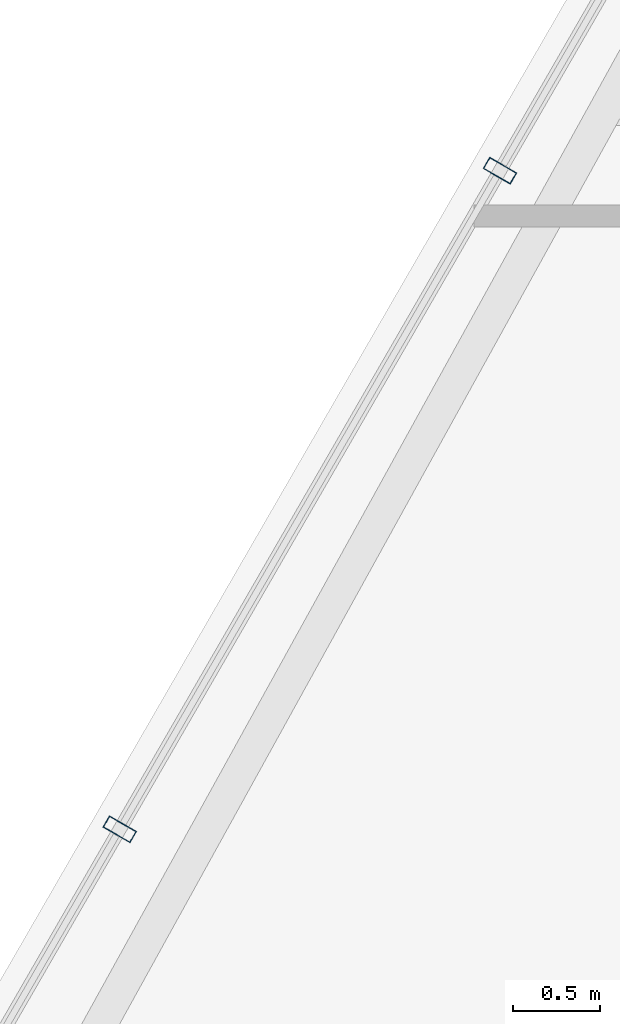
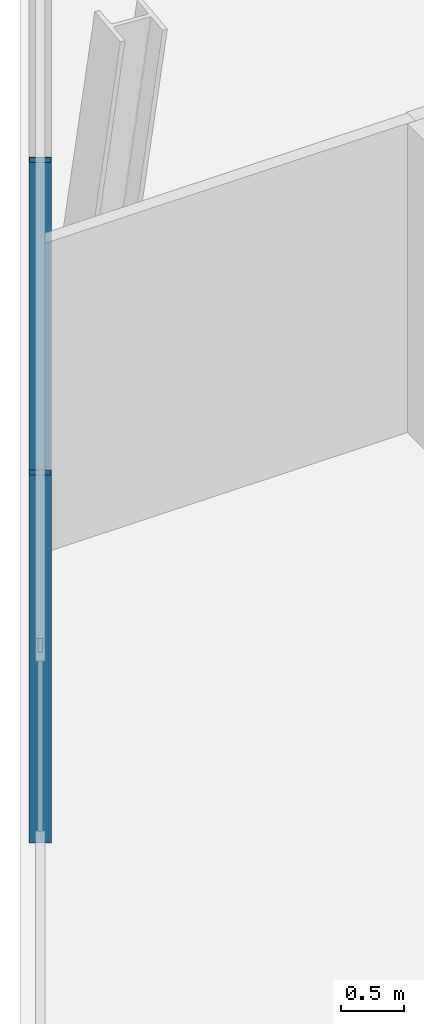
# One storey, part 10 of 29: 2 members, 1 element without a shape of its own.
"""IFC4 building model written with IfcOpenShell, lengths in metres."""

from ifc_helpers import new_model, si_unit, direction, frame, origin, origin_2d, place, context, subcontext, project, spatial, hollow_rectangle, extrude, material, layer, layer_set, material_profile, profile_set, type_object, element, aggregate, save


model = new_model("IFC4")

# Units and contexts
model_context = context("Model", 3, precision=1e-05, world=origin(), true_north=direction((0.0, 1.0)))
body_context = subcontext(model_context, "Body", "Model", "MODEL_VIEW")
ifc_project = project(units=[si_unit("LENGTHUNIT", "METRE"), si_unit("AREAUNIT", "SQUARE_METRE"), si_unit("VOLUMEUNIT", "CUBIC_METRE"), si_unit("PLANEANGLEUNIT", "RADIAN"), si_unit("MASSUNIT", "GRAM", prefix="KILO")], contexts=[model_context])

# Site, building, storey
site_placement = place(None, origin())
site = spatial("IfcSite", under=ifc_project, at=site_placement, CompositionType="ELEMENT")
building_placement = place(site_placement, origin())
building = spatial("IfcBuilding", under=site, at=building_placement, Name="Ndaravel Arena Tower", CompositionType="ELEMENT")
storey_placement = place(building_placement, frame((0.0, 0.0, 237.0)))
storey = spatial("IfcBuildingStorey", under=building, at=storey_placement, Name="L57", CompositionType="ELEMENT", Elevation=237.0)

# Curtain wall, members
ifc_material_1 = material(Name="Aluminium", Category="aluminium")
ifc_layer = layer(ifc_material_1, 0.179931640625)
ifc_layer_set = layer_set([ifc_layer], Name="Aluminium")
curtain_wall_type = type_object("IfcCurtainWallType", Name="CW-SYS-03", PredefinedType="NOTDEFINED", material=ifc_layer_set)
curtain_wall_placement = place(storey_placement, origin())
curtain_wall = element("IfcCurtainWall", 1, at=curtain_wall_placement, inside=storey, type_object=curtain_wall_type, Name="L57 Faceted Crystal Curtain Wall CW-L57-E05", PredefinedType="NOTDEFINED")
ifc_material_2 = material(Name="Aluminium", Category="aluminium")
ifc_material_profile = material_profile(ifc_material_2, hollow_rectangle(XDim=0.074951171875, YDim=0.179931640625, WallThickness=0.00390625, at=origin_2d()), Name="CW MULLION 75x180x4")
ifc_profile_set = profile_set([ifc_material_profile], Name="Aluminium")
member_type = type_object("IfcMemberType", Name="MEM-CW-MUL180", PredefinedType="MULLION", material=ifc_profile_set)
member_1_placement = place(storey_placement, frame((27.52880859375, 26.458984375, 0.0), z_axis=(0.0, 0.0, 1.0), x_axis=(-0.5, -0.866025403784, 0.0)))
member_1 = element("IfcMember", 2, at=member_1_placement, type_object=member_type, Name="CW-L57-E05 Mullion 05", PredefinedType="MULLION", context=body_context, shape_type="SweptSolid", body=[
    extrude(hollow_rectangle(XDim=0.074951171875, YDim=0.179931640625, WallThickness=0.00390625, at=origin_2d()), origin(), (0.0, 0.0, 1.0), 3.580078125),
])
member_2_placement = place(storey_placement, frame((25.3544921875, 22.69287109375, 0.0), z_axis=(0.0, 0.0, 1.0), x_axis=(-0.5, -0.866025403784, 0.0)))
member_2 = element("IfcMember", 3, at=member_2_placement, type_object=member_type, Name="CW-L57-E05 Mullion 06", PredefinedType="MULLION", context=body_context, shape_type="SweptSolid", body=[
    extrude(hollow_rectangle(XDim=0.074951171875, YDim=0.179931640625, WallThickness=0.00390625, at=origin_2d()), origin(), (0.0, 0.0, 1.0), 3.580078125),
])
aggregate(curtain_wall, [member_1, member_2])

save(model, "model.ifc")
